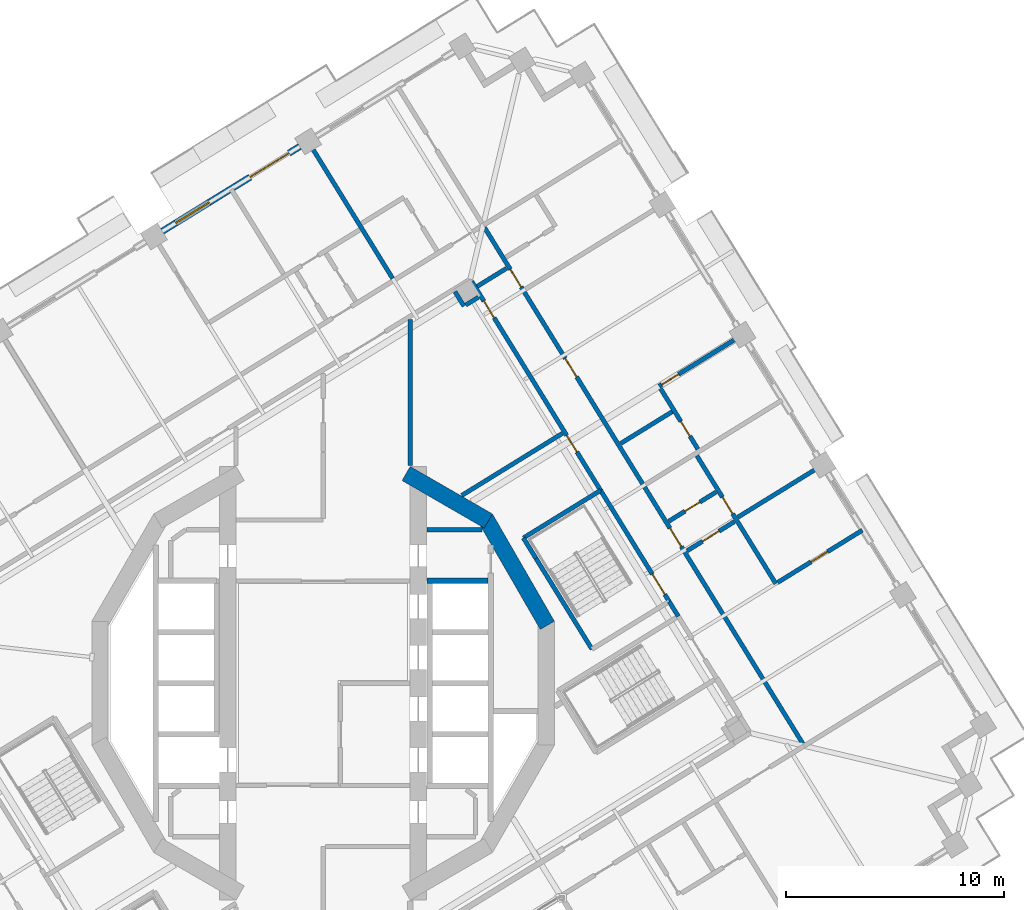
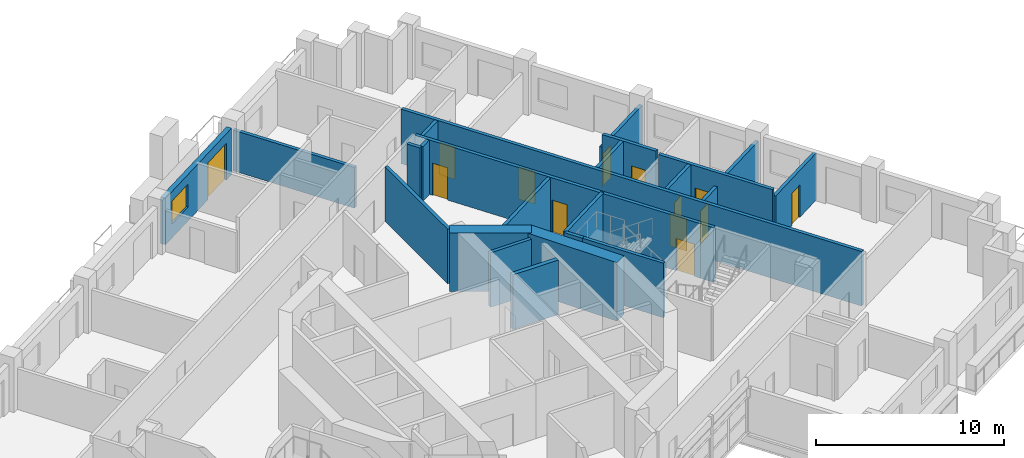
# One storey, part 13 of 22: 26 walls, 13 doors, 1 window, 14 openings.
"""IFC4 building model written with IfcOpenShell, lengths in metres."""

from ifc_helpers import new_model, si_unit, direction, frame, frame_2d, origin, place, context, subcontext, project, spatial, rectangle, extrude, material, layer, layer_set, type_object, element, fill, save


model = new_model("IFC4")

# Units and contexts
model_context = context("Model", 3, precision=1e-05, world=origin(), true_north=direction((0.0, 1.0)))
body_context = subcontext(model_context, "Body", "Model", "MODEL_VIEW")
ifc_project = project(units=[si_unit("LENGTHUNIT", "METRE"), si_unit("AREAUNIT", "SQUARE_METRE"), si_unit("VOLUMEUNIT", "CUBIC_METRE"), si_unit("PLANEANGLEUNIT", "RADIAN"), si_unit("MASSUNIT", "GRAM", prefix="KILO")], contexts=[model_context])

# Site, building, storey
site_placement = place(None, origin())
site = spatial("IfcSite", under=ifc_project, at=site_placement, CompositionType="ELEMENT")
building_placement = place(site_placement, origin())
building = spatial("IfcBuilding", under=site, at=building_placement, Name="Cantera Rosa Tower", CompositionType="ELEMENT")
storey_placement = place(building_placement, frame((0.0, 0.0, 178.0)))
storey = spatial("IfcBuildingStorey", under=building, at=storey_placement, Name="L39", CompositionType="ELEMENT", Elevation=178.0)

# Walls
ifc_material_1 = material(Name="Gypsum board partition")
ifc_layer_1 = layer(ifc_material_1, 0.199951171875)
ifc_layer_set_1 = layer_set([ifc_layer_1], Name="CORRIDOR WALL 200 H3550")
wall_type_1 = type_object("IfcWallType", Name="CORRIDOR WALL 200 H3550", PredefinedType="PARTITIONING", material=ifc_layer_set_1)
wall_1_placement = place(storey_placement, frame((4.0, 9.994140625, 0.0), z_axis=(0.0, 0.0, 1.0), x_axis=(0.0, 1.0, 0.0)))
element("IfcWall", 1, at=wall_1_placement, inside=storey, type_object=wall_type_1, Name="CORRIDOR WALL L39-080", PredefinedType="PARTITIONING", context=body_context, shape_type="SweptSolid", body=[
    extrude(rectangle(XDim=6.7060546875, YDim=0.199951171875, at=frame_2d((3.35302734375, 0.0))), origin(), (0.0, 0.0, 1.0), 3.550048828125),
])
wall_2_placement = place(storey_placement, frame((7.08154296875, 18.234619140625, 0.0), z_axis=(0.0, 0.0, 1.0), x_axis=(0.8511858258, 0.524864449127, 0.0)))
element("IfcWall", 2, at=wall_2_placement, inside=storey, type_object=wall_type_1, Name="CORRIDOR WALL L39-091", PredefinedType="PARTITIONING", context=body_context, shape_type="SweptSolid", body=[
    extrude(rectangle(XDim=1.580078125, YDim=0.199951171875, at=frame_2d((0.7900390625, 0.0))), origin(), (0.0, 0.0, 1.0), 3.550048828125),
])

# Wall, openings, doors
wall_3_placement = place(storey_placement, frame((12.74560546875, 8.861328125, 0.0), z_axis=(0.0, 0.0, 1.0), x_axis=(-0.524983574612, 0.851112358263, 0.0)))
wall_3 = element("IfcWall", 3, at=wall_3_placement, inside=storey, type_object=wall_type_1, Name="CORRIDOR WALL L39-109", PredefinedType="PARTITIONING", context=body_context, shape_type="SweptSolid", body=[
    extrude(rectangle(XDim=11.279296875, YDim=0.199951171875, at=frame_2d((5.6396484375, 0.0))), origin(), (0.0, 0.0, 1.0), 3.550048828125),
])
opening_1_placement = place(wall_3_placement, frame((9.314208984375, 0.0, 0.0)))
opening_1 = element("IfcOpeningElement", 4, at=opening_1_placement, cuts=wall_3, Name="Opening L39-005", PredefinedType="OPENING", context=body_context, shape_type="SweptSolid", body=[
    extrude(rectangle(XDim=0.89990234375, YDim=2.10009765625, at=frame_2d((0.449951171875, 1.050048828125))), frame((0.0, 0.10986328125, 0.0), z_axis=(0.0, -1.0, 0.0), x_axis=(1.0, 0.0, 0.0)), (0.0, 0.0, 1.0), 0.219970703125),
])
opening_2_placement = place(wall_3_placement, frame((2.0693359375, 0.0, 0.0)))
opening_2 = element("IfcOpeningElement", 5, at=opening_2_placement, cuts=wall_3, Name="Opening L39-010", PredefinedType="OPENING", context=body_context, shape_type="SweptSolid", body=[
    extrude(rectangle(XDim=0.89990234375, YDim=2.10009765625, at=frame_2d((0.449951171875, 1.050048828125))), frame((0.0, 0.10986328125, 0.0), z_axis=(0.0, -1.0, 0.0), x_axis=(1.0, 0.0, 0.0)), (0.0, 0.0, 1.0), 0.219970703125),
])
ifc_material_2 = material(Name="Timber door leaf", Category="wood")
door_type_1 = type_object("IfcDoorType", Name="SERVICE DOOR 900x2100", OperationType="NOTDEFINED", PredefinedType="DOOR", material=ifc_material_2)
door_1_placement = place(opening_1_placement, origin())
door_1 = element("IfcDoor", 6, at=door_1_placement, inside=storey, type_object=door_type_1, Name="DOOR L39-005", OperationType="NOTDEFINED", OverallHeight=2.10009765625, OverallWidth=0.89990234375, PredefinedType="DOOR", context=body_context, shape_type="SweptSolid", body=[
    extrude(rectangle(XDim=0.89990234375, YDim=2.10009765625, at=frame_2d((0.449951171875, 1.050048828125))), frame((0.0, 0.02490234375, 0.0), z_axis=(0.0, -1.0, 0.0), x_axis=(1.0, 0.0, 0.0)), (0.0, 0.0, 1.0), 0.050048828125),
])
fill(opening_1, door_1)
door_2_placement = place(opening_2_placement, origin())
door_2 = element("IfcDoor", 7, at=door_2_placement, inside=storey, type_object=door_type_1, Name="DOOR L39-010", OperationType="NOTDEFINED", OverallHeight=2.10009765625, OverallWidth=0.89990234375, PredefinedType="DOOR", context=body_context, shape_type="SweptSolid", body=[
    extrude(rectangle(XDim=0.89990234375, YDim=2.10009765625, at=frame_2d((0.449951171875, 1.050048828125))), frame((0.0, 0.02490234375, 0.0), z_axis=(0.0, -1.0, 0.0), x_axis=(1.0, 0.0, 0.0)), (0.0, 0.0, 1.0), 0.050048828125),
])
fill(opening_2, door_2)

# Wall
wall_4_placement = place(storey_placement, frame((16.31591796875, 3.072998046875, 0.0), z_axis=(0.0, 0.0, 1.0), x_axis=(-0.524947597637, 0.85113454855, 0.0)))
element("IfcWall", 8, at=wall_4_placement, inside=storey, type_object=wall_type_1, Name="CORRIDOR WALL L39-117", PredefinedType="PARTITIONING", context=body_context, shape_type="SweptSolid", body=[
    extrude(rectangle(XDim=0.80078125, YDim=0.199951171875, at=frame_2d((0.400390625, 0.0))), origin(), (0.0, 0.0, 1.0), 3.550048828125),
])

# Wall, openings, doors
wall_5_placement = place(storey_placement, frame((22.037109375, -2.77392578125, 0.0), z_axis=(0.0, 0.0, 1.0), x_axis=(-0.524972822247, 0.851118990448, 0.0)))
wall_5 = element("IfcWall", 9, at=wall_5_placement, inside=storey, type_object=wall_type_1, Name="CORRIDOR WALL L39-132", PredefinedType="PARTITIONING", context=body_context, shape_type="SweptSolid", body=[
    extrude(rectangle(XDim=27.85986328125, YDim=0.199951171875, at=frame_2d((13.929931640625, 0.0))), origin(), (0.0, 0.0, 1.0), 3.550048828125),
])
opening_3_placement = place(wall_5_placement, frame((10.6298828125, 0.0, 0.0)))
opening_3 = element("IfcOpeningElement", 10, at=opening_3_placement, cuts=wall_5, Name="Opening L39-022", PredefinedType="OPENING", context=body_context, shape_type="SweptSolid", body=[
    extrude(rectangle(XDim=1.0, YDim=2.10009765625, at=frame_2d((0.5, 1.050048828125))), frame((0.0, 0.10986328125, 0.0), z_axis=(0.0, -1.0, 0.0), x_axis=(1.0, 0.0, 0.0)), (0.0, 0.0, 1.0), 0.219970703125),
])
opening_4_placement = place(wall_5_placement, frame((19.794921875, 0.0, 0.0)))
opening_4 = element("IfcOpeningElement", 11, at=opening_4_placement, cuts=wall_5, Name="Opening L39-027", PredefinedType="OPENING", context=body_context, shape_type="SweptSolid", body=[
    extrude(rectangle(XDim=1.0, YDim=2.10009765625, at=frame_2d((0.5, 1.050048828125))), frame((0.0, 0.10986328125, 0.0), z_axis=(0.0, -1.0, 0.0), x_axis=(1.0, 0.0, 0.0)), (0.0, 0.0, 1.0), 0.219970703125),
])
opening_5_placement = place(wall_5_placement, frame((24.652099609375, 0.0, 0.0)))
opening_5 = element("IfcOpeningElement", 12, at=opening_5_placement, cuts=wall_5, Name="Opening L39-030", PredefinedType="OPENING", context=body_context, shape_type="SweptSolid", body=[
    extrude(rectangle(XDim=0.949951171875, YDim=2.10009765625, at=frame_2d((0.47509765625, 1.050048828125))), frame((0.0, 0.10986328125, 0.0), z_axis=(0.0, -1.0, 0.0), x_axis=(1.0, 0.0, 0.0)), (0.0, 0.0, 1.0), 0.219970703125),
])
ifc_material_3 = material(Name="Timber door leaf", Category="wood")
door_type_2 = type_object("IfcDoorType", Name="ENTRANCE DOOR 1000x2100", OperationType="NOTDEFINED", PredefinedType="DOOR", material=ifc_material_3)
door_3_placement = place(opening_3_placement, origin())
door_3 = element("IfcDoor", 13, at=door_3_placement, inside=storey, type_object=door_type_2, Name="DOOR L39-022", OperationType="NOTDEFINED", OverallHeight=2.10009765625, OverallWidth=1.0, PredefinedType="DOOR", context=body_context, shape_type="SweptSolid", body=[
    extrude(rectangle(XDim=1.0, YDim=2.10009765625, at=frame_2d((0.5, 1.050048828125))), frame((0.0, 0.02490234375, 0.0), z_axis=(0.0, -1.0, 0.0), x_axis=(1.0, 0.0, 0.0)), (0.0, 0.0, 1.0), 0.050048828125),
])
fill(opening_3, door_3)
door_4_placement = place(opening_4_placement, origin())
door_4 = element("IfcDoor", 14, at=door_4_placement, inside=storey, type_object=door_type_2, Name="DOOR L39-027", OperationType="NOTDEFINED", OverallHeight=2.10009765625, OverallWidth=1.0, PredefinedType="DOOR", context=body_context, shape_type="SweptSolid", body=[
    extrude(rectangle(XDim=1.0, YDim=2.10009765625, at=frame_2d((0.5, 1.050048828125))), frame((0.0, 0.02490234375, 0.0), z_axis=(0.0, -1.0, 0.0), x_axis=(1.0, 0.0, 0.0)), (0.0, 0.0, 1.0), 0.050048828125),
])
fill(opening_4, door_4)
ifc_material_4 = material(Name="Timber door leaf", Category="wood")
door_type_3 = type_object("IfcDoorType", Name="ROOM DOOR 950x2100", OperationType="NOTDEFINED", PredefinedType="DOOR", material=ifc_material_4)
door_5_placement = place(opening_5_placement, origin())
door_5 = element("IfcDoor", 15, at=door_5_placement, inside=storey, type_object=door_type_3, Name="DOOR L39-030", OperationType="NOTDEFINED", OverallHeight=2.10009765625, OverallWidth=0.949951171875, PredefinedType="DOOR", context=body_context, shape_type="SweptSolid", body=[
    extrude(rectangle(XDim=0.949951171875, YDim=2.10009765625, at=frame_2d((0.47509765625, 1.050048828125))), frame((0.0, 0.02490234375, 0.0), z_axis=(0.0, -1.0, 0.0), x_axis=(1.0, 0.0, 0.0)), (0.0, 0.0, 1.0), 0.050048828125),
])
fill(opening_5, door_5)

# Wall, openings, window, door
ifc_material_5 = material(Name="Hollow clay masonry with cantera stone cladding", Category="masonry")
ifc_layer_2 = layer(ifc_material_5, 0.300048828125)
ifc_layer_set_2 = layer_set([ifc_layer_2], Name="EW-LOGGIA 300 H3020")
wall_type_2 = type_object("IfcWallType", Name="EW-LOGGIA 300 H3020", PredefinedType="SOLIDWALL", material=ifc_layer_set_2)
wall_6_placement = place(storey_placement, frame((-1.07421875, 24.656982421875, 0.0), z_axis=(0.0, 0.0, 1.0), x_axis=(-0.85112578684, -0.524961803349, 0.0)))
wall_6 = element("IfcWall", 16, at=wall_6_placement, inside=storey, type_object=wall_type_2, Name="EN-L39-W09", PredefinedType="SOLIDWALL", context=body_context, shape_type="SweptSolid", body=[
    extrude(rectangle(XDim=7.420166015625, YDim=0.300048828125, at=frame_2d((3.7099609375, 0.0))), origin(), (0.0, 0.0, 1.0), 3.02001953125),
])
opening_6_placement = place(wall_6_placement, frame((0.580078125, 0.0, 0.0)))
opening_6 = element("IfcOpeningElement", 17, at=opening_6_placement, cuts=wall_6, Name="Opening L39-TD13", PredefinedType="OPENING", context=body_context, shape_type="SweptSolid", body=[
    extrude(rectangle(XDim=2.10009765625, YDim=2.39990234375, at=frame_2d((1.050048828125, 1.199951171875))), frame((0.0, 0.159912109375, 0.0), z_axis=(0.0, -1.0, 0.0), x_axis=(1.0, 0.0, 0.0)), (0.0, 0.0, 1.0), 0.320068359375),
])
opening_7_placement = place(wall_6_placement, frame((4.889892578125, 0.0, 0.89990234375)))
opening_7 = element("IfcOpeningElement", 18, at=opening_7_placement, cuts=wall_6, Name="Opening L39-W14", PredefinedType="OPENING", context=body_context, shape_type="SweptSolid", body=[
    extrude(rectangle(XDim=1.800048828125, YDim=1.5, at=frame_2d((0.89990234375, 0.75))), frame((0.0, 0.159912109375, 0.0), z_axis=(0.0, -1.0, 0.0), x_axis=(1.0, 0.0, 0.0)), (0.0, 0.0, 1.0), 0.320068359375),
])
ifc_material_6 = material(Name="Aluminium frame with clear glass", Category="aluminium")
window_type = type_object("IfcWindowType", Name="Hotel room window 1800x1500", PartitioningType="DOUBLE_PANEL_VERTICAL", PredefinedType="WINDOW", material=ifc_material_6)
window_placement = place(opening_7_placement, origin())
window = element("IfcWindow", 19, at=window_placement, inside=storey, type_object=window_type, Name="WINDOW L39-W14", OverallHeight=1.5, OverallWidth=1.800048828125, PartitioningType="SINGLE_PANEL", PredefinedType="WINDOW", context=body_context, shape_type="SweptSolid", body=[
    extrude(rectangle(XDim=1.800048828125, YDim=1.5, at=frame_2d((0.89990234375, 0.75))), frame((0.0, 0.030029296875, 0.0), z_axis=(0.0, -1.0, 0.0), x_axis=(1.0, 0.0, 0.0)), (0.0, 0.0, 1.0), 0.06005859375),
])
fill(opening_7, window)
ifc_material_7 = material(Name="Aluminium frame with clear glass", Category="aluminium")
door_type_4 = type_object("IfcDoorType", Name="TD-H 2100x2400", OperationType="NOTDEFINED", PredefinedType="DOOR", material=ifc_material_7)
door_6_placement = place(opening_6_placement, origin())
door_6 = element("IfcDoor", 20, at=door_6_placement, inside=storey, type_object=door_type_4, Name="LOGGIA DOOR L39-TD13", OperationType="SLIDING_TO_LEFT", OverallHeight=2.39990234375, OverallWidth=2.10009765625, PredefinedType="DOOR", context=body_context, shape_type="SweptSolid", body=[
    extrude(rectangle(XDim=2.10009765625, YDim=2.39990234375, at=frame_2d((1.050048828125, 1.199951171875))), frame((0.0, 0.02490234375, 0.0), z_axis=(0.0, -1.0, 0.0), x_axis=(1.0, 0.0, 0.0)), (0.0, 0.0, 1.0), 0.050048828125),
])
fill(opening_6, door_6)

# Wall, opening, door
ifc_material_8 = material(Name="Gypsum board partition")
ifc_layer_3 = layer(ifc_material_8, 0.199951171875)
ifc_layer_set_3 = layer_set([ifc_layer_3], Name="PARTITION 200 H2650")
wall_type_3 = type_object("IfcWallType", Name="PARTITION 200 H2650", PredefinedType="PARTITIONING", material=ifc_layer_set_3)
wall_7_placement = place(storey_placement, frame((15.43505859375, 13.644287109375, 0.0), z_axis=(0.0, 0.0, 1.0), x_axis=(0.85108586201, 0.525026528364, 0.0)))
wall_7 = element("IfcWall", 21, at=wall_7_placement, inside=storey, type_object=wall_type_3, Name="PARTITION L39-114", PredefinedType="PARTITIONING", context=body_context, shape_type="SweptSolid", body=[
    extrude(rectangle(XDim=4.47021484375, YDim=0.199951171875, at=frame_2d((2.235107421875, 0.0))), origin(), (0.0, 0.0, 1.0), 2.64990234375),
])
opening_8_placement = place(wall_7_placement, frame((0.14990234375, 0.0, 0.0)))
opening_8 = element("IfcOpeningElement", 22, at=opening_8_placement, cuts=wall_7, Name="Opening L39-028", PredefinedType="OPENING", context=body_context, shape_type="SweptSolid", body=[
    extrude(rectangle(XDim=0.89990234375, YDim=2.10009765625, at=frame_2d((0.449951171875, 1.050048828125))), frame((0.0, 0.10986328125, 0.0), z_axis=(0.0, -1.0, 0.0), x_axis=(1.0, 0.0, 0.0)), (0.0, 0.0, 1.0), 0.219970703125),
])
ifc_material_9 = material(Name="Timber door leaf", Category="wood")
door_type_5 = type_object("IfcDoorType", Name="ROOM DOOR 900x2100", OperationType="NOTDEFINED", PredefinedType="DOOR", material=ifc_material_9)
door_7_placement = place(opening_8_placement, origin())
door_7 = element("IfcDoor", 23, at=door_7_placement, inside=storey, type_object=door_type_5, Name="DOOR L39-028", OperationType="NOTDEFINED", OverallHeight=2.10009765625, OverallWidth=0.89990234375, PredefinedType="DOOR", context=body_context, shape_type="SweptSolid", body=[
    extrude(rectangle(XDim=0.89990234375, YDim=2.10009765625, at=frame_2d((0.449951171875, 1.050048828125))), frame((0.0, 0.02490234375, 0.0), z_axis=(0.0, -1.0, 0.0), x_axis=(1.0, 0.0, 0.0)), (0.0, 0.0, 1.0), 0.050048828125),
])
fill(opening_8, door_7)

wall_8_placement = place(storey_placement, frame((18.895263671875, 7.425048828125, 0.0), z_axis=(0.0, 0.0, 1.0), x_axis=(-0.851117608509, -0.524975062727, 0.0)))
wall_8 = element("IfcWall", 24, at=wall_8_placement, inside=storey, type_object=wall_type_3, Name="PARTITION L39-127", PredefinedType="PARTITIONING", context=body_context, shape_type="SweptSolid", body=[
    extrude(rectangle(XDim=2.56005859375, YDim=0.199951171875, at=frame_2d((1.280029296875, 0.0))), origin(), (0.0, 0.0, 1.0), 2.64990234375),
])
opening_9_placement = place(wall_8_placement, frame((0.830078125, 0.0, 0.0)))
opening_9 = element("IfcOpeningElement", 25, at=opening_9_placement, cuts=wall_8, Name="Opening L39-024", PredefinedType="OPENING", context=body_context, shape_type="SweptSolid", body=[
    extrude(rectangle(XDim=0.89990234375, YDim=2.10009765625, at=frame_2d((0.449951171875, 1.050048828125))), frame((0.0, 0.10986328125, 0.0), z_axis=(0.0, -1.0, 0.0), x_axis=(1.0, 0.0, 0.0)), (0.0, 0.0, 1.0), 0.219970703125),
])
door_8_placement = place(opening_9_placement, origin())
door_8 = element("IfcDoor", 26, at=door_8_placement, inside=storey, type_object=door_type_5, Name="DOOR L39-024", OperationType="NOTDEFINED", OverallHeight=2.10009765625, OverallWidth=0.89990234375, PredefinedType="DOOR", context=body_context, shape_type="SweptSolid", body=[
    extrude(rectangle(XDim=0.89990234375, YDim=2.10009765625, at=frame_2d((0.449951171875, 1.050048828125))), frame((0.0, 0.02490234375, 0.0), z_axis=(0.0, -1.0, 0.0), x_axis=(1.0, 0.0, 0.0)), (0.0, 0.0, 1.0), 0.050048828125),
])
fill(opening_9, door_8)

# Wall
wall_9_placement = place(storey_placement, frame((22.9248046875, 10.016357421875, 0.0), z_axis=(0.0, 0.0, 1.0), x_axis=(-0.851112531426, -0.524983293877, 0.0)))
element("IfcWall", 27, at=wall_9_placement, inside=storey, type_object=wall_type_3, Name="PARTITION L39-133", PredefinedType="PARTITIONING", context=body_context, shape_type="SweptSolid", body=[
    extrude(rectangle(XDim=4.550048828125, YDim=0.199951171875, at=frame_2d((2.27490234375, 0.0))), origin(), (0.0, 0.0, 1.0), 2.64990234375),
])

# Wall, opening, door
ifc_material_10 = material(Name="Gypsum board partition")
ifc_layer_4 = layer(ifc_material_10, 0.199951171875)
ifc_layer_set_4 = layer_set([ifc_layer_4], Name="PARTITION 200 H3050")
wall_type_4 = type_object("IfcWallType", Name="PARTITION 200 H3050", PredefinedType="PARTITIONING", material=ifc_layer_set_4)
wall_10_placement = place(storey_placement, frame((24.767578125, 7.02880859375, 0.0), z_axis=(0.0, 0.0, 1.0), x_axis=(-0.851116766048, -0.524976428568, 0.0)))
wall_10 = element("IfcWall", 28, at=wall_10_placement, inside=storey, type_object=wall_type_4, Name="PARTITION L39-134", PredefinedType="PARTITIONING", context=body_context, shape_type="SweptSolid", body=[
    extrude(rectangle(XDim=4.570068359375, YDim=0.199951171875, at=frame_2d((2.28515625, 0.0))), origin(), (0.0, 0.0, 1.0), 3.050048828125),
])
opening_10_placement = place(wall_10_placement, frame((1.8701171875, 0.0, 0.0)))
opening_10 = element("IfcOpeningElement", 29, at=opening_10_placement, cuts=wall_10, Name="Opening L39-026", PredefinedType="OPENING", context=body_context, shape_type="SweptSolid", body=[
    extrude(rectangle(XDim=0.89990234375, YDim=2.10009765625, at=frame_2d((0.449951171875, 1.050048828125))), frame((0.0, 0.10986328125, 0.0), z_axis=(0.0, -1.0, 0.0), x_axis=(1.0, 0.0, 0.0)), (0.0, 0.0, 1.0), 0.219970703125),
])
door_9_placement = place(opening_10_placement, origin())
door_9 = element("IfcDoor", 30, at=door_9_placement, inside=storey, type_object=door_type_5, Name="DOOR L39-026", OperationType="NOTDEFINED", OverallHeight=2.10009765625, OverallWidth=0.89990234375, PredefinedType="DOOR", context=body_context, shape_type="SweptSolid", body=[
    extrude(rectangle(XDim=0.89990234375, YDim=2.10009765625, at=frame_2d((0.449951171875, 1.050048828125))), frame((0.0, 0.02490234375, 0.0), z_axis=(0.0, -1.0, 0.0), x_axis=(1.0, 0.0, 0.0)), (0.0, 0.0, 1.0), 0.050048828125),
])
fill(opening_10, door_9)

# Walls
ifc_material_11 = material(Name="Gypsum board partition")
ifc_layer_5 = layer(ifc_material_11, 0.199951171875)
ifc_layer_set_5 = layer_set([ifc_layer_5], Name="PARTITION 200 H3550")
wall_type_5 = type_object("IfcWallType", Name="PARTITION 200 H3550", PredefinedType="PARTITIONING", material=ifc_layer_set_5)
wall_11_placement = place(storey_placement, frame((4.780029296875, 7.050048828125, 0.0), z_axis=(0.0, 0.0, 1.0), x_axis=(1.0, 0.0, 0.0)))
element("IfcWall", 31, at=wall_11_placement, inside=storey, type_object=wall_type_5, Name="PARTITION L39-083", PredefinedType="PARTITIONING", context=body_context, shape_type="SweptSolid", body=[
    extrude(rectangle(XDim=2.517822265625, YDim=0.199951171875, at=frame_2d((1.2587890625, 0.0))), origin(), (0.0, 0.0, 1.0), 3.550048828125),
])
wall_12_placement = place(storey_placement, frame((6.058349609375, 17.98876953125, 0.0), z_axis=(0.0, 0.0, 1.0), x_axis=(0.524813124932, -0.851217471566, 0.0)))
element("IfcWall", 32, at=wall_12_placement, inside=storey, type_object=wall_type_5, Name="PARTITION L39-085", PredefinedType="PARTITIONING", context=body_context, shape_type="SweptSolid", body=[
    extrude(rectangle(XDim=0.780029296875, YDim=0.199951171875, at=frame_2d((0.39013671875, 0.0))), origin(), (0.0, 0.0, 1.0), 3.550048828125),
])
wall_13_placement = place(storey_placement, frame((6.552978515625, 17.377197265625, 0.0), z_axis=(0.0, 0.0, 1.0), x_axis=(0.850930166337, 0.525278832638, 0.0)))
element("IfcWall", 33, at=wall_13_placement, inside=storey, type_object=wall_type_5, Name="PARTITION L39-087", PredefinedType="PARTITIONING", context=body_context, shape_type="SweptSolid", body=[
    extrude(rectangle(XDim=0.679931640625, YDim=0.199951171875, at=frame_2d((0.33984375, 0.0))), origin(), (0.0, 0.0, 1.0), 3.550048828125),
])
wall_14_placement = place(storey_placement, frame((10.990234375, 11.478515625, 0.0), z_axis=(0.0, 0.0, 1.0), x_axis=(-0.851122334173, -0.524967401152, 0.0)))
element("IfcWall", 34, at=wall_14_placement, inside=storey, type_object=wall_type_5, Name="PARTITION L39-106", PredefinedType="PARTITIONING", context=body_context, shape_type="SweptSolid", body=[
    extrude(rectangle(XDim=5.431396484375, YDim=0.199951171875, at=frame_2d((2.7158203125, 0.0))), origin(), (0.0, 0.0, 1.0), 3.550048828125),
])
wall_15_placement = place(storey_placement, frame((13.67138671875, 11.017578125, 0.0), z_axis=(0.0, 0.0, 1.0), x_axis=(0.85112116958, 0.524969289285, 0.0)))
element("IfcWall", 35, at=wall_15_placement, inside=storey, type_object=wall_type_5, Name="PARTITION L39-111", PredefinedType="PARTITIONING", context=body_context, shape_type="SweptSolid", body=[
    extrude(rectangle(XDim=2.780029296875, YDim=0.199951171875, at=frame_2d((1.39013671875, 0.0))), origin(), (0.0, 0.0, 1.0), 3.550048828125),
])

# Wall, opening, door
wall_16_placement = place(storey_placement, frame((17.17041015625, 10.449951171875, 0.0), z_axis=(0.0, 0.0, 1.0), x_axis=(0.524967739563, -0.851122125443, 0.0)))
wall_16 = element("IfcWall", 36, at=wall_16_placement, inside=storey, type_object=wall_type_5, Name="PARTITION L39-119", PredefinedType="PARTITIONING", context=body_context, shape_type="SweptSolid", body=[
    extrude(rectangle(XDim=6.900146484375, YDim=0.199951171875, at=frame_2d((3.4501953125, 0.0))), origin(), (0.0, 0.0, 1.0), 3.550048828125),
])
opening_11_placement = place(wall_16_placement, frame((2.22998046875, 0.0, 0.0)))
opening_11 = element("IfcOpeningElement", 37, at=opening_11_placement, cuts=wall_16, Name="Opening L39-025", PredefinedType="OPENING", context=body_context, shape_type="SweptSolid", body=[
    extrude(rectangle(XDim=0.89990234375, YDim=2.10009765625, at=frame_2d((0.449951171875, 1.050048828125))), frame((0.0, 0.10986328125, 0.0), z_axis=(0.0, -1.0, 0.0), x_axis=(1.0, 0.0, 0.0)), (0.0, 0.0, 1.0), 0.219970703125),
])
door_10_placement = place(opening_11_placement, origin())
door_10 = element("IfcDoor", 38, at=door_10_placement, inside=storey, type_object=door_type_5, Name="DOOR L39-025", OperationType="NOTDEFINED", OverallHeight=2.10009765625, OverallWidth=0.89990234375, PredefinedType="DOOR", context=body_context, shape_type="SweptSolid", body=[
    extrude(rectangle(XDim=0.89990234375, YDim=2.10009765625, at=frame_2d((0.449951171875, 1.050048828125))), frame((0.0, 0.02490234375, 0.0), z_axis=(0.0, -1.0, 0.0), x_axis=(1.0, 0.0, 0.0)), (0.0, 0.0, 1.0), 0.050048828125),
])
fill(opening_11, door_10)

wall_17_placement = place(storey_placement, frame((17.214599609375, 10.75927734375, 0.0), z_axis=(0.0, 0.0, 1.0), x_axis=(-0.524976153579, 0.851116935663, 0.0)))
wall_17 = element("IfcWall", 39, at=wall_17_placement, inside=storey, type_object=wall_type_5, Name="PARTITION L39-120", PredefinedType="PARTITIONING", context=body_context, shape_type="SweptSolid", body=[
    extrude(rectangle(XDim=3.269775390625, YDim=0.199951171875, at=frame_2d((1.634765625, 0.0))), origin(), (0.0, 0.0, 1.0), 3.550048828125),
])
opening_12_placement = place(wall_17_placement, frame((0.68994140625, 0.0, 0.0)))
opening_12 = element("IfcOpeningElement", 40, at=opening_12_placement, cuts=wall_17, Name="Opening L39-029", PredefinedType="OPENING", context=body_context, shape_type="SweptSolid", body=[
    extrude(rectangle(XDim=0.800048828125, YDim=2.10009765625, at=frame_2d((0.39990234375, 1.050048828125))), frame((0.0, 0.10986328125, 0.0), z_axis=(0.0, -1.0, 0.0), x_axis=(1.0, 0.0, 0.0)), (0.0, 0.0, 1.0), 0.219970703125),
])
ifc_material_12 = material(Name="Timber door leaf", Category="wood")
door_type_6 = type_object("IfcDoorType", Name="BATHROOM DOOR 800x2100", OperationType="NOTDEFINED", PredefinedType="DOOR", material=ifc_material_12)
door_11_placement = place(opening_12_placement, origin())
door_11 = element("IfcDoor", 41, at=door_11_placement, inside=storey, type_object=door_type_6, Name="DOOR L39-029", OperationType="NOTDEFINED", OverallHeight=2.10009765625, OverallWidth=0.800048828125, PredefinedType="DOOR", context=body_context, shape_type="SweptSolid", body=[
    extrude(rectangle(XDim=0.800048828125, YDim=2.10009765625, at=frame_2d((0.39990234375, 1.050048828125))), frame((0.0, 0.02490234375, 0.0), z_axis=(0.0, -1.0, 0.0), x_axis=(1.0, 0.0, 0.0)), (0.0, 0.0, 1.0), 0.050048828125),
])
fill(opening_12, door_11)

wall_18_placement = place(storey_placement, frame((18.055419921875, 8.786865234375, 0.0), z_axis=(0.0, 0.0, 1.0), x_axis=(-0.851117608509, -0.524975062727, 0.0)))
wall_18 = element("IfcWall", 42, at=wall_18_placement, inside=storey, type_object=wall_type_5, Name="PARTITION L39-124", PredefinedType="PARTITIONING", context=body_context, shape_type="SweptSolid", body=[
    extrude(rectangle(XDim=2.56005859375, YDim=0.199951171875, at=frame_2d((1.280029296875, 0.0))), origin(), (0.0, 0.0, 1.0), 3.550048828125),
])
opening_13_placement = place(wall_18_placement, frame((0.8798828125, 0.0, 0.0)))
opening_13 = element("IfcOpeningElement", 43, at=opening_13_placement, cuts=wall_18, Name="Opening L39-023", PredefinedType="OPENING", context=body_context, shape_type="SweptSolid", body=[
    extrude(rectangle(XDim=0.800048828125, YDim=2.10009765625, at=frame_2d((0.39990234375, 1.050048828125))), frame((0.0, 0.10986328125, 0.0), z_axis=(0.0, -1.0, 0.0), x_axis=(1.0, 0.0, 0.0)), (0.0, 0.0, 1.0), 0.219970703125),
])
door_12_placement = place(opening_13_placement, origin())
door_12 = element("IfcDoor", 44, at=door_12_placement, inside=storey, type_object=door_type_6, Name="DOOR L39-023", OperationType="NOTDEFINED", OverallHeight=2.10009765625, OverallWidth=0.800048828125, PredefinedType="DOOR", context=body_context, shape_type="SweptSolid", body=[
    extrude(rectangle(XDim=0.800048828125, YDim=2.10009765625, at=frame_2d((0.39990234375, 1.050048828125))), frame((0.0, 0.02490234375, 0.0), z_axis=(0.0, -1.0, 0.0), x_axis=(1.0, 0.0, 0.0)), (0.0, 0.0, 1.0), 0.050048828125),
])
fill(opening_13, door_12)

# Walls
ifc_material_13 = material(Name="Gypsum board partition")
ifc_layer_6 = layer(ifc_material_13, 0.199951171875)
ifc_layer_set_6 = layer_set([ifc_layer_6], Name="PARTY WALL 200 H2650")
wall_type_6 = type_object("IfcWallType", Name="PARTY WALL 200 H2650", PredefinedType="PARTITIONING", material=ifc_layer_set_6)
wall_19_placement = place(storey_placement, frame((-0.675537109375, 24.86767578125, 0.0), z_axis=(0.0, 0.0, 1.0), x_axis=(0.52498429839, -0.851111911821, 0.0)))
element("IfcWall", 45, at=wall_19_placement, inside=storey, type_object=wall_type_6, Name="PARTY WALL L39-063", PredefinedType="PARTITIONING", context=body_context, shape_type="SweptSolid", body=[
    extrude(rectangle(XDim=7.3701171875, YDim=0.199951171875, at=frame_2d((3.68505859375, 0.0))), origin(), (0.0, 0.0, 1.0), 2.64990234375),
])
ifc_material_14 = material(Name="Concrete C60/75", Category="concrete")
ifc_layer_7 = layer(ifc_material_14, 0.75)
ifc_layer_set_7 = layer_set([ifc_layer_7], Name="RC CORE WALL 750 C60/75")
wall_type_7 = type_object("IfcWallType", Name="RC CORE WALL 750 C60/75", PredefinedType="SHEAR", material=ifc_layer_set_7)
wall_20_placement = place(storey_placement, frame((3.8125, 9.634765625, 0.0), z_axis=(0.0, 0.0, 1.0), x_axis=(0.866013176292, -0.50002117804, 0.0)))
element("IfcWall", 46, at=wall_20_placement, inside=storey, type_object=wall_type_7, Name="CW-E1 L39", PredefinedType="SHEAR", context=body_context, shape_type="SweptSolid", body=[
    extrude(rectangle(XDim=4.362548828125, YDim=0.75, at=frame_2d((2.18115234375, 0.0))), origin(), (0.0, 0.0, 1.0), 3.800048828125),
])
wall_21_placement = place(storey_placement, frame((7.453369140625, 7.590576171875, 0.0), z_axis=(0.0, 0.0, 1.0), x_axis=(0.500021842983, -0.866012792365, 0.0)))
element("IfcWall", 47, at=wall_21_placement, inside=storey, type_object=wall_type_7, Name="CW-E2 L39", PredefinedType="SHEAR", context=body_context, shape_type="SweptSolid", body=[
    extrude(rectangle(XDim=5.694091796875, YDim=0.75, at=frame_2d((2.84716796875, 0.0))), origin(), (0.0, 0.0, 1.0), 3.800048828125),
])
ifc_material_15 = material(Name="Masonry blockwork", Category="masonry")
ifc_layer_8 = layer(ifc_material_15, 0.25)
ifc_layer_set_8 = layer_set([ifc_layer_8], Name="SHAFT WALL 250 H3550")
wall_type_8 = type_object("IfcWallType", Name="SHAFT WALL 250 H3550", PredefinedType="SOLIDWALL", material=ifc_layer_set_8)
wall_22_placement = place(storey_placement, frame((4.780029296875, 4.699951171875, 0.0), z_axis=(0.0, 0.0, 1.0), x_axis=(1.0, 0.0, 0.0)))
element("IfcWall", 48, at=wall_22_placement, inside=storey, type_object=wall_type_8, Name="SHAFT WALL L39-082", PredefinedType="SOLIDWALL", context=body_context, shape_type="SweptSolid", body=[
    extrude(rectangle(XDim=2.794921875, YDim=0.25, at=frame_2d((1.3974609375, 0.0))), origin(), (0.0, 0.0, 1.0), 3.550048828125),
])
ifc_material_16 = material(Name="Concrete C50/60", Category="concrete")
ifc_layer_9 = layer(ifc_material_16, 0.199951171875)
ifc_layer_set_9 = layer_set([ifc_layer_9], Name="STAIR WALL 200 H3550")
wall_type_9 = type_object("IfcWallType", Name="STAIR WALL 200 H3550", PredefinedType="SOLIDWALL", material=ifc_layer_set_9)
wall_23_placement = place(storey_placement, frame((9.199462890625, 6.674072265625, 0.0), z_axis=(0.0, 0.0, 1.0), x_axis=(0.524902102766, -0.851162606387, 0.0)))
element("IfcWall", 49, at=wall_23_placement, inside=storey, type_object=wall_type_9, Name="STAIR WALL L39-100", PredefinedType="SOLIDWALL", context=body_context, shape_type="SweptSolid", body=[
    extrude(rectangle(XDim=1.10009765625, YDim=0.199951171875, at=frame_2d((0.550048828125, 0.0))), origin(), (0.0, 0.0, 1.0), 3.550048828125),
])
wall_24_placement = place(storey_placement, frame((12.74560546875, 8.861328125, 0.0), z_axis=(0.0, 0.0, 1.0), x_axis=(-0.851120688733, -0.524970068871, 0.0)))
element("IfcWall", 50, at=wall_24_placement, inside=storey, type_object=wall_type_9, Name="STAIR WALL L39-110", PredefinedType="SOLIDWALL", context=body_context, shape_type="SweptSolid", body=[
    extrude(rectangle(XDim=4.16650390625, YDim=0.199951171875, at=frame_2d((2.083251953125, 0.0))), origin(), (0.0, 0.0, 1.0), 3.550048828125),
])

# Wall, opening, door
wall_25_placement = place(storey_placement, frame((15.8955078125, 3.754638671875, 0.0), z_axis=(0.0, 0.0, 1.0), x_axis=(-0.524982543144, 0.851112994493, 0.0)))
wall_25 = element("IfcWall", 51, at=wall_25_placement, inside=storey, type_object=wall_type_9, Name="STAIR WALL L39-115", PredefinedType="SOLIDWALL", context=body_context, shape_type="SweptSolid", body=[
    extrude(rectangle(XDim=6.0, YDim=0.199951171875, at=frame_2d((3.0, 0.0))), origin(), (0.0, 0.0, 1.0), 3.550048828125),
])
opening_14_placement = place(wall_25_placement, frame((0.375, 0.0, 0.0)))
opening_14 = element("IfcOpeningElement", 52, at=opening_14_placement, cuts=wall_25, Name="Opening L39-001", PredefinedType="OPENING", context=body_context, shape_type="SweptSolid", body=[
    extrude(rectangle(XDim=1.10009765625, YDim=2.10009765625, at=frame_2d((0.550048828125, 1.050048828125))), frame((0.0, 0.10986328125, 0.0), z_axis=(0.0, -1.0, 0.0), x_axis=(1.0, 0.0, 0.0)), (0.0, 0.0, 1.0), 0.219970703125),
])
ifc_material_17 = material(Name="Steel S355J2 (EN 10025-2)", Category="steel")
door_type_7 = type_object("IfcDoorType", Name="STAIR DOOR 1100x2100", OperationType="NOTDEFINED", PredefinedType="DOOR", material=ifc_material_17)
door_13_placement = place(opening_14_placement, origin())
door_13 = element("IfcDoor", 53, at=door_13_placement, inside=storey, type_object=door_type_7, Name="DOOR L39-001", OperationType="NOTDEFINED", OverallHeight=2.10009765625, OverallWidth=1.10009765625, PredefinedType="DOOR", context=body_context, shape_type="SweptSolid", body=[
    extrude(rectangle(XDim=1.10009765625, YDim=2.10009765625, at=frame_2d((0.550048828125, 1.050048828125))), frame((0.0, 0.02490234375, 0.0), z_axis=(0.0, -1.0, 0.0), x_axis=(1.0, 0.0, 0.0)), (0.0, 0.0, 1.0), 0.050048828125),
])
fill(opening_14, door_13)

# Wall
wall_26_placement = place(storey_placement, frame((9.77685546875, 5.73779296875, 0.0), z_axis=(0.0, 0.0, 1.0), x_axis=(0.525000600504, -0.851101856108, 0.0)))
element("IfcWall", 54, at=wall_26_placement, inside=storey, type_object=wall_type_9, Name="STAIR WALL L39-100 J", PredefinedType="SOLIDWALL", context=body_context, shape_type="SweptSolid", body=[
    extrude(rectangle(XDim=4.89990234375, YDim=0.199951171875, at=frame_2d((2.449951171875, 0.0))), origin(), (0.0, 0.0, 1.0), 3.550048828125),
])

save(model, "model.ifc")
